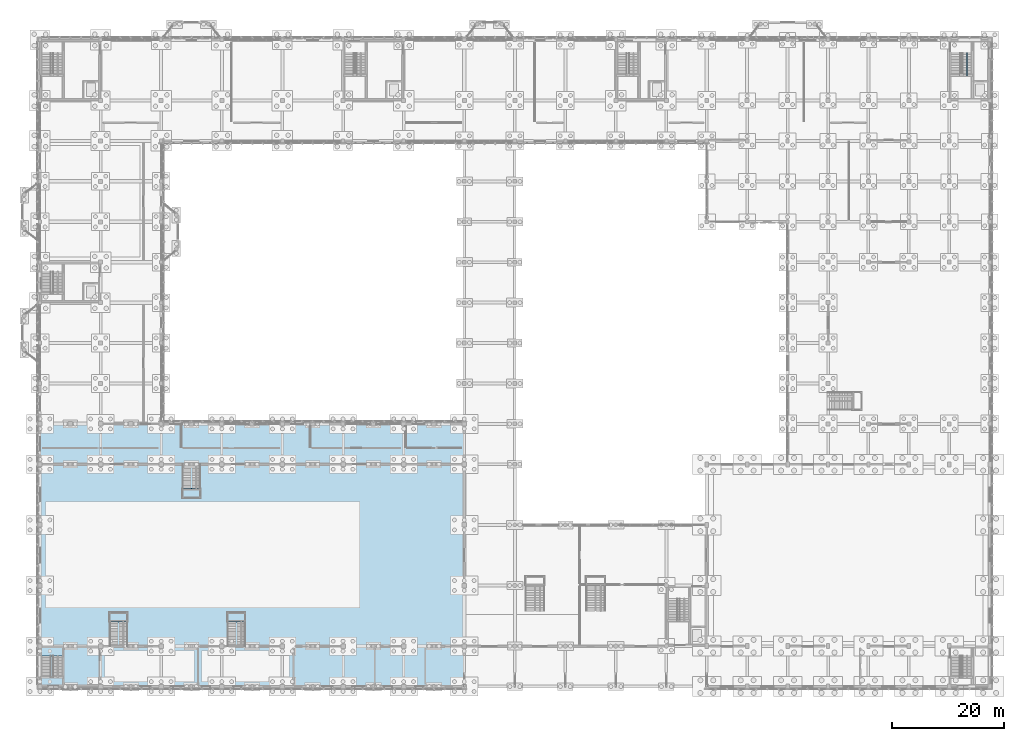
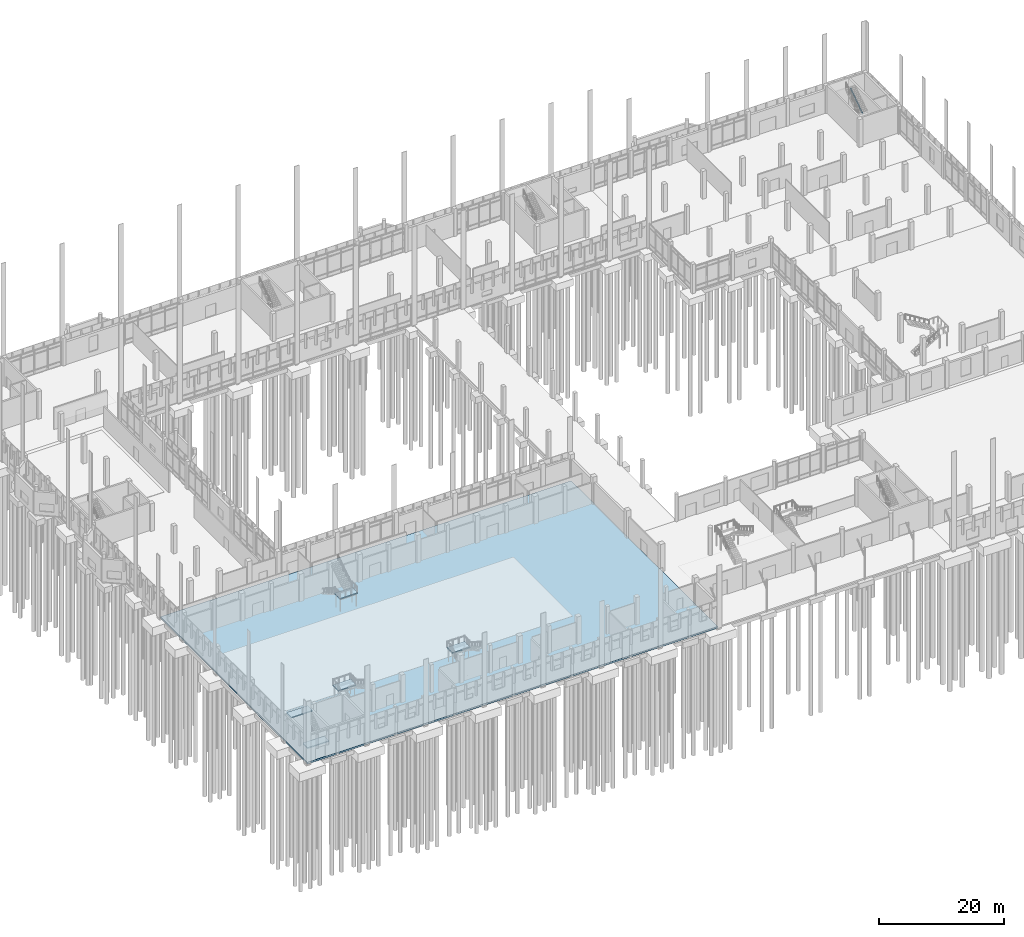
# One storey, part 72 of 109: 6 slabs, 1 beam, 4 elements without a shape of their own.
"""IFC4 building model written with IfcOpenShell, lengths in metres."""

import ifcopenshell
import ifcopenshell.guid

model = None  # the IFC model being written
_history = None  # IfcOwnerHistory: only IFC2X3 demands one
_inside = {}  # id of a spatial element -> (the spatial element, [elements in it])
_under = {}  # id of a project, library or spatial element -> (it, [spatial elements below it])
_declared = {}  # id of a project -> (the project, [libraries it declares])
_typed = {}  # id of a type object -> (the type object, [elements of that type])
_made_of = {}  # id of a material, layer set ... -> (it, [elements and type objects made of it])


def new_model(schema):
    """Start an empty IFC model of exactly this schema.

    Asked for "IFC4X3", IfcOpenShell would pick the latest addendum, in which some entities
    have other attributes; the version numbers below select the first issue.
    IFC2X3 requires an IfcOwnerHistory on every rooted entity: one is made here for all.
    """
    global model, _history
    if schema == "IFC4X3":
        model = ifcopenshell.file(schema_version=(4, 3, 0, 0))
    else:
        model = ifcopenshell.file(schema=schema)
    _inside.clear()
    _under.clear()
    _declared.clear()
    _typed.clear()
    _made_of.clear()
    _history = None
    if model.schema == "IFC2X3":
        org = make("IfcOrganization", Name="unknown")
        user = make(
            "IfcPersonAndOrganization",
            ThePerson=make("IfcPerson", FamilyName="unknown"),
            TheOrganization=org,
        )
        app = make(
            "IfcApplication",
            ApplicationDeveloper=org,
            Version="unknown",
            ApplicationFullName="unknown",
            ApplicationIdentifier="unknown",
        )
        _history = make(
            "IfcOwnerHistory",
            OwningUser=user,
            OwningApplication=app,
            ChangeAction="ADDED",
            CreationDate=0,
        )
    return model


def make(cls, **values):
    """One entity of the class cls with the attributes given. An attribute that is None is left unset."""
    return model.create_entity(
        cls, **{name: value for name, value in values.items() if value is not None}
    )


def rooted(cls, **values):
    """An entity with a GlobalId (a new one), such as an element, a storey or a relation."""
    return make(cls, GlobalId=ifcopenshell.guid.new(), OwnerHistory=_history, **values)


def si_unit(unit_type, name, prefix=None):
    """IfcSIUnit, for example si_unit("LENGTHUNIT", "METRE", prefix="MILLI")."""
    return make("IfcSIUnit", UnitType=unit_type, Prefix=prefix, Name=name)


def assignment(units):
    """IfcUnitAssignment: the units of a project."""
    return None if units is None else make("IfcUnitAssignment", Units=units)


def point(xyz):
    """IfcCartesianPoint."""
    return None if xyz is None else make("IfcCartesianPoint", Coordinates=xyz)


def direction(xyz):
    """IfcDirection."""
    return None if xyz is None else make("IfcDirection", DirectionRatios=xyz)


def frame(location, z_axis=None, x_axis=None):
    """IfcAxis2Placement3D, a coordinate frame: its origin and axes. An axis left out is left unset."""
    return make(
        "IfcAxis2Placement3D",
        Location=point(location),
        Axis=direction(z_axis),
        RefDirection=direction(x_axis),
    )


def frame_2d(location, x_axis=None):
    """IfcAxis2Placement2D, a coordinate frame in the plane: its origin and x axis."""
    return make(
        "IfcAxis2Placement2D", Location=point(location), RefDirection=direction(x_axis)
    )


def origin():
    """The frame at (0, 0, 0) with its axes left unset."""
    return frame((0.0, 0.0, 0.0))


def origin_2d():
    """The frame at (0, 0) in the plane with its x axis left unset."""
    return frame_2d((0.0, 0.0))


def place(relative_to, where):
    """IfcLocalPlacement: puts the frame where relative to a parent placement (None: the world)."""
    return make(
        "IfcLocalPlacement", PlacementRelTo=relative_to, RelativePlacement=where
    )


def context(
    kind, dimensions, precision=None, world=None, true_north=None, identifier=None
):
    """IfcGeometricRepresentationContext, for example the 3D "Model" context."""
    return make(
        "IfcGeometricRepresentationContext",
        ContextIdentifier=identifier,
        ContextType=kind,
        CoordinateSpaceDimension=dimensions,
        Precision=precision,
        WorldCoordinateSystem=world,
        TrueNorth=true_north,
    )


def subcontext(parent, identifier, kind, view, scale=None):
    """IfcGeometricRepresentationSubContext, for example "Body" below "Model"."""
    return make(
        "IfcGeometricRepresentationSubContext",
        ContextIdentifier=identifier,
        ContextType=kind,
        ParentContext=parent,
        TargetScale=scale,
        TargetView=view,
    )


def project(units=None, contexts=None):
    """IfcProject with its units and contexts."""
    return rooted(
        "IfcProject",
        Name="project",
        RepresentationContexts=contexts,
        UnitsInContext=assignment(units),
    )


def spatial(cls, under=None, at=None, **own):
    """A site, building, storey or space (cls), placed at a placement, below another one or the project."""
    s = rooted(cls, ObjectPlacement=at, **own)
    if under is not None:
        _under.setdefault(under.id(), (under, []))[1].append(s)
    return s


def polyline(points):
    """IfcPolyline through the points."""
    return make("IfcPolyline", Points=[point(p) for p in points])


def profile(cls, at=None, kind="AREA", **sizes):
    """A parametric profile (cls). Its sizes go by their IFC names, for example OverallWidth=200.0."""
    return make(cls, ProfileType=kind, Position=at, **sizes)


def i_section(**sizes):
    """IfcIShapeProfileDef."""
    return profile("IfcIShapeProfileDef", **sizes)


def outline(outer, holes=None, kind="AREA"):
    """IfcArbitraryClosedProfileDef: a profile drawn as a closed curve; with holes, ...WithVoids."""
    if holes is None:
        return make("IfcArbitraryClosedProfileDef", ProfileType=kind, OuterCurve=outer)
    return make(
        "IfcArbitraryProfileDefWithVoids",
        ProfileType=kind,
        OuterCurve=outer,
        InnerCurves=holes,
    )


def extrude(swept, where, along, depth):
    """IfcExtrudedAreaSolid: the profile swept, set in the frame where, extruded along a direction by depth."""
    return make(
        "IfcExtrudedAreaSolid",
        SweptArea=swept,
        Position=where,
        ExtrudedDirection=direction(along),
        Depth=depth,
    )


def shape(context_of_items, identifier, shape_type, items):
    """IfcShapeRepresentation: the items that make up one representation, for example the "Body"."""
    return make(
        "IfcShapeRepresentation",
        ContextOfItems=context_of_items,
        RepresentationIdentifier=identifier,
        RepresentationType=shape_type,
        Items=items,
    )


def material(Name=None, Category=None):
    """IfcMaterial."""
    return make("IfcMaterial", Name=Name, Category=Category)


def layer(
    of_material, thickness, ventilated=None, Name=None, Category=None, Priority=None
):
    """IfcMaterialLayer: one layer of a wall or slab, of a material (None: an air gap)."""
    return make(
        "IfcMaterialLayer",
        Material=of_material,
        LayerThickness=thickness,
        IsVentilated=ventilated,
        Name=Name,
        Category=Category,
        Priority=Priority,
    )


def layer_set(layers, Name=None):
    """IfcMaterialLayerSet."""
    return make("IfcMaterialLayerSet", MaterialLayers=layers, LayerSetName=Name)


def material_profile(
    of_material, cross_section, Name=None, Category=None, Priority=None
):
    """IfcMaterialProfile: a cross section and its material."""
    return make(
        "IfcMaterialProfile",
        Name=Name,
        Material=of_material,
        Profile=cross_section,
        Priority=Priority,
        Category=Category,
    )


def profile_set(profiles, Name=None, composite=None):
    """IfcMaterialProfileSet."""
    return make(
        "IfcMaterialProfileSet",
        Name=Name,
        MaterialProfiles=profiles,
        CompositeProfile=composite,
    )


def made_of(thing, what):
    """Note that an element or type object is made of a material, layer set ...; save() writes the relation."""
    if what is not None:
        _made_of.setdefault(what.id(), (what, []))[1].append(thing)
    return thing


def type_object(cls, material=None, **own):
    """A type object (cls), such as IfcWallType, which elements share."""
    return made_of(rooted(cls, **own), material)


def element(
    cls,
    number,
    at=None,
    inside=None,
    cuts=None,
    type_object=None,
    material=None,
    context=None,
    identifier="Body",
    shape_type=None,
    held_by="IfcProductDefinitionShape",
    body=None,
    shapes=None,
    **own,
):
    """One element of the class cls, such as IfcWall. Its Tag is "e" and its number.

    at: its placement. inside: the storey or other place that contains it. cuts: it is an
    opening in that element (IfcRelVoidsElement). A single representation is given by context,
    identifier, shape_type and body (its items); several are given by shapes. held_by: the class
    of the entity that holds the representations. save() writes the other relations.
    """
    e = rooted(cls, Tag="e%d" % number, ObjectPlacement=at, **own)
    if body is not None:
        shapes = [shape(context, identifier, shape_type, body)]
    if shapes is not None:
        e.Representation = make(held_by, Representations=shapes)
    if inside is not None:
        _inside.setdefault(inside.id(), (inside, []))[1].append(e)
    if cuts is not None:
        rooted(
            "IfcRelVoidsElement", RelatingBuildingElement=cuts, RelatedOpeningElement=e
        )
    if type_object is not None:
        _typed.setdefault(type_object.id(), (type_object, []))[1].append(e)
    return made_of(e, material)


def aggregate(whole, parts):
    """IfcRelAggregates: a whole, such as a stair, and the parts it consists of."""
    return rooted("IfcRelAggregates", RelatingObject=whole, RelatedObjects=parts)


def save(model, path):
    """Write the relations noted so far, then the file.

    IfcRelAggregates (storeys below a building ...), IfcRelContainedInSpatialStructure (elements
    in a storey), IfcRelDefinesByType, IfcRelAssociatesMaterial and IfcRelDeclares: one each for
    every whole, place, type object, material and project.
    """
    for whole, parts in _under.values():
        aggregate(whole, parts)
    for where, things in _inside.values():
        rooted(
            "IfcRelContainedInSpatialStructure",
            RelatedElements=things,
            RelatingStructure=where,
        )
    for kind, things in _typed.values():
        rooted("IfcRelDefinesByType", RelatedObjects=things, RelatingType=kind)
    for what, things in _made_of.values():
        rooted("IfcRelAssociatesMaterial", RelatedObjects=things, RelatingMaterial=what)
    for by, libraries in _declared.values():
        rooted("IfcRelDeclares", RelatingContext=by, RelatedDefinitions=libraries)
    model.write(path)


model = new_model("IFC4")

# Units and contexts
model_context = context("Model", 3, precision=1e-05, world=origin(), true_north=direction((0.0, 1.0)))
body_context = subcontext(model_context, "Body", "Model", "MODEL_VIEW")
ifc_project = project(units=[si_unit("LENGTHUNIT", "METRE"), si_unit("AREAUNIT", "SQUARE_METRE"), si_unit("VOLUMEUNIT", "CUBIC_METRE"), si_unit("PLANEANGLEUNIT", "RADIAN"), si_unit("MASSUNIT", "GRAM", prefix="KILO")], contexts=[model_context])

# Site, building, storey
site_placement = place(None, origin())
site = spatial("IfcSite", under=ifc_project, at=site_placement, CompositionType="ELEMENT")
building_placement = place(site_placement, origin())
building = spatial("IfcBuilding", under=site, at=building_placement, Name="Lusvemor Sports Hall", CompositionType="ELEMENT")
storey_placement = place(building_placement, origin())
storey = spatial("IfcBuildingStorey", under=building, at=storey_placement, Name="L00", CompositionType="ELEMENT", Elevation=0.0)

# Beam
ifc_material_1 = material(Name="Steel S355", Category="steel")
ifc_material_profile = material_profile(ifc_material_1, i_section(OverallWidth=0.14794921875, OverallDepth=0.26611328125, WebThickness=0.007568359375, FlangeThickness=0.012939453125, FilletRadius=0.012939453125, at=origin_2d()), Name="W250x44.8")
ifc_profile_set = profile_set([ifc_material_profile], Name="Steel S355")
beam_type = type_object("IfcBeamType", Name="JOIST_ST_250M", PredefinedType="JOIST", material=ifc_profile_set)
beam_placement = place(storey_placement, frame((165.159912109375, 108.929931640625, 2.35498046875), z_axis=(0.0, 0.823567234665, 0.567218661528), x_axis=(-1.0, 0.0, 0.0)))
element("IfcBeam", 1, at=beam_placement, inside=storey, type_object=beam_type, Name="Stair STR-C5-L00 Flight 2 Stringer Beam", PredefinedType="JOIST", context=body_context, shape_type="SweptSolid", body=[
    extrude(i_section(OverallWidth=0.14794921875, OverallDepth=0.26611328125, WebThickness=0.007568359375, FlangeThickness=0.012939453125, FilletRadius=0.012939453125, at=origin_2d()), origin(), (0.0, 0.0, 1.0), 4.760009765625),
])

# Slab
ifc_material_2 = material(Name="Concrete C40/50", Category="concrete")
ifc_layer_1 = layer(ifc_material_2, 0.320068359375)
ifc_layer_set_1 = layer_set([ifc_layer_1], Name="Concrete C40/50")
slab_type_1 = type_object("IfcSlabType", Name="SLAB_BASE_320", PredefinedType="BASESLAB", material=ifc_layer_set_1)
slab_1_placement = place(storey_placement, frame((0.0, 0.0, -0.320068359375)))
element("IfcSlab", 2, at=slab_1_placement, inside=storey, type_object=slab_type_1, Name="Slab L00 V1-MAIN", PredefinedType="BASESLAB", context=body_context, shape_type="SweptSolid", body=[
    extrude(outline(polyline([(0.0, 0.0), (75.60009765625, 0.0), (75.60009765625, 46.800048828125), (0.0, 46.800048828125), (0.0, 0.0)])), origin(), (0.0, 0.0, 1.0), 0.320068359375),
])

# Stair, slabs
ifc_material_3 = material(Name="Concrete C40/50", Category="concrete")
stair_type_1 = type_object("IfcStairType", Name="STAIR_CORE_540_C", PredefinedType="HALF_TURN_STAIR", material=ifc_material_3)
stair_1_placement = place(storey_placement, origin())
stair_1 = element("IfcStair", 3, at=stair_1_placement, inside=storey, type_object=stair_type_1, Name="Escape Stair C6 (L00)", PredefinedType="HALF_TURN_STAIR")
ifc_material_4 = material(Name="Concrete C40/50", Category="concrete")
ifc_layer_2 = layer(ifc_material_4, 0.199951171875)
ifc_layer_set_2 = layer_set([ifc_layer_2], Name="Concrete C40/50")
slab_type_2 = type_object("IfcSlabType", Name="SLAB_LAND_200", PredefinedType="LANDING", material=ifc_layer_set_2)
slab_2_placement = place(storey_placement, frame((0.0, 0.0, 2.5)))
slab_2 = element("IfcSlab", 4, at=slab_2_placement, type_object=slab_type_2, Name="ST05 landing 1", PredefinedType="LANDING", context=body_context, shape_type="SweptSolid", body=[
    extrude(outline(polyline([(0.179931640625, 0.179931640625), (4.1201171875, 0.179931640625), (4.1201171875, 1.739990234375), (0.179931640625, 1.739990234375), (0.179931640625, 0.179931640625)])), origin(), (0.0, 0.0, 1.0), 0.199951171875),
])
slab_3_placement = place(storey_placement, frame((0.0, 0.0, 5.199951171875)))
slab_3 = element("IfcSlab", 5, at=slab_3_placement, type_object=slab_type_2, Name="ST05 landing 2", PredefinedType="LANDING", context=body_context, shape_type="SweptSolid", body=[
    extrude(outline(polyline([(0.179931640625, 5.43994140625), (4.1201171875, 5.43994140625), (4.1201171875, 7.02001953125), (0.179931640625, 7.02001953125), (0.179931640625, 5.43994140625)])), origin(), (0.0, 0.0, 1.0), 0.199951171875),
])
aggregate(stair_1, [slab_2, slab_3])

# Stair, slab
ifc_material_5 = material(Name="Concrete C40/50", Category="concrete")
stair_type_2 = type_object("IfcStairType", Name="STAIR_GALLERY_540", PredefinedType="STRAIGHT_RUN_STAIR", material=ifc_material_5)
stair_2_placement = place(storey_placement, origin())
stair_2 = element("IfcStair", 6, at=stair_2_placement, inside=storey, type_object=stair_type_2, Name="Feature Stair STR-V1-GAL-W", PredefinedType="STRAIGHT_RUN_STAIR")
ifc_material_6 = material(Name="Precast concrete C40/50", Category="concrete")
ifc_layer_3 = layer(ifc_material_6, 0.218017578125)
ifc_layer_set_3 = layer_set([ifc_layer_3], Name="Precast concrete C40/50")
slab_type_3 = type_object("IfcSlabType", Name="SLAB_LAND_218", PredefinedType="LANDING", material=ifc_layer_set_3)
slab_4_placement = place(storey_placement, frame((0.0, 0.0, 2.48193359375)))
slab_4 = element("IfcSlab", 7, at=slab_4_placement, type_object=slab_type_3, Name="ST04 landing 1", PredefinedType="LANDING", context=body_context, shape_type="SweptSolid", body=[
    extrude(outline(polyline([(12.35009765625, 11.510009765625), (15.64990234375, 11.510009765625), (15.64990234375, 13.2900390625), (12.35009765625, 13.2900390625), (12.35009765625, 11.510009765625)])), origin(), (0.0, 0.0, 1.0), 0.218017578125),
])
aggregate(stair_2, [slab_4])

stair_3_placement = place(storey_placement, origin())
stair_3 = element("IfcStair", 8, at=stair_3_placement, inside=storey, type_object=stair_type_2, Name="Feature Stair STR-V1-GAL-E", PredefinedType="STRAIGHT_RUN_STAIR")
slab_5_placement = place(storey_placement, frame((0.0, 0.0, 2.48193359375)))
slab_5 = element("IfcSlab", 9, at=slab_5_placement, type_object=slab_type_3, Name="ST04 landing 1", PredefinedType="LANDING", context=body_context, shape_type="SweptSolid", body=[
    extrude(outline(polyline([(33.35009765625, 11.510009765625), (36.64990234375, 11.510009765625), (36.64990234375, 13.2900390625), (33.35009765625, 13.2900390625), (33.35009765625, 11.510009765625)])), origin(), (0.0, 0.0, 1.0), 0.218017578125),
])
aggregate(stair_3, [slab_5])

stair_4_placement = place(storey_placement, origin())
stair_4 = element("IfcStair", 10, at=stair_4_placement, inside=storey, type_object=stair_type_2, Name="Feature Stair STR-V1N-GAL", PredefinedType="STRAIGHT_RUN_STAIR")
slab_6_placement = place(storey_placement, frame((0.0, 0.0, 2.48193359375)))
slab_6 = element("IfcSlab", 11, at=slab_6_placement, type_object=slab_type_3, Name="ST04 landing 1", PredefinedType="LANDING", context=body_context, shape_type="SweptSolid", body=[
    extrude(outline(polyline([(25.35009765625, 33.510009765625), (28.64990234375, 33.510009765625), (28.64990234375, 35.2900390625), (25.35009765625, 35.2900390625), (25.35009765625, 33.510009765625)])), origin(), (0.0, 0.0, 1.0), 0.218017578125),
])
aggregate(stair_4, [slab_6])

save(model, "model.ifc")
